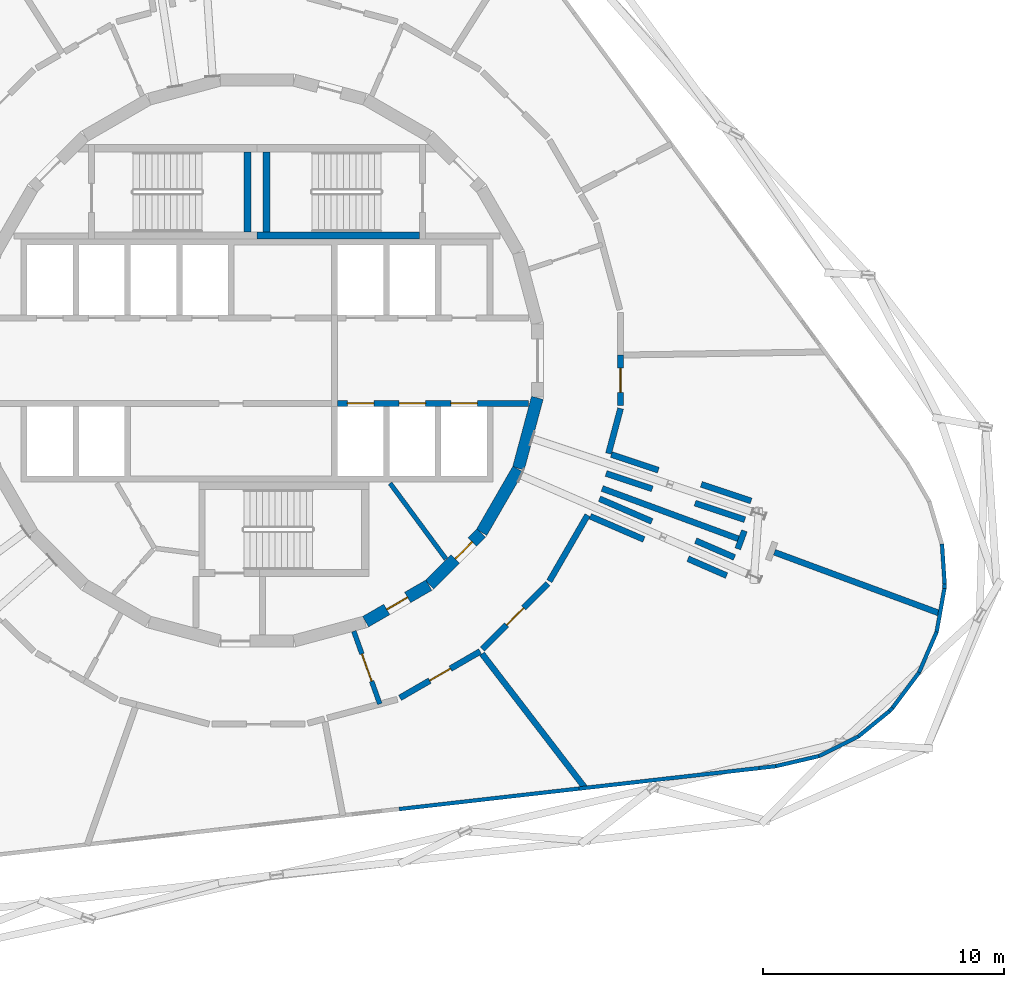
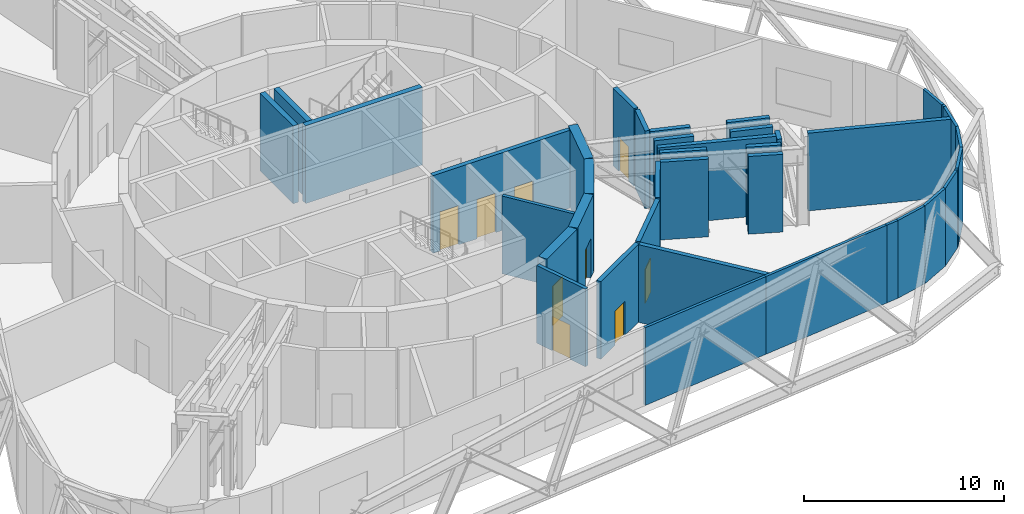
# One storey, part 7 of 11: 39 walls, 9 doors, 9 openings.
"""IFC4 building model written with IfcOpenShell, lengths in metres."""

from ifc_helpers import new_model, si_unit, direction, frame, frame_2d, origin, place, context, subcontext, project, spatial, rectangle, extrude, material, layer, layer_set, type_object, element, fill, save


model = new_model("IFC4")

# Units and contexts
model_context = context("Model", 3, precision=1e-05, world=origin(), true_north=direction((0.0, 1.0)))
body_context = subcontext(model_context, "Body", "Model", "MODEL_VIEW")
ifc_project = project(units=[si_unit("LENGTHUNIT", "METRE"), si_unit("AREAUNIT", "SQUARE_METRE"), si_unit("VOLUMEUNIT", "CUBIC_METRE"), si_unit("PLANEANGLEUNIT", "RADIAN"), si_unit("MASSUNIT", "GRAM", prefix="KILO")], contexts=[model_context])

# Site, building, storey
site_placement = place(None, origin())
site = spatial("IfcSite", under=ifc_project, at=site_placement, CompositionType="ELEMENT")
building_placement = place(site_placement, origin())
building = spatial("IfcBuilding", under=site, at=building_placement, Name="Spindle Arch Residences", CompositionType="ELEMENT")
storey_placement = place(building_placement, frame((0.0, 0.0, 108.199951171875)))
storey = spatial("IfcBuildingStorey", under=building, at=storey_placement, Name="L26", CompositionType="ELEMENT", Elevation=108.199951171875)

# Wall, opening, door
ifc_material_1 = material(Name="Concrete C50/60", Category="concrete")
ifc_layer_1 = layer(ifc_material_1, 0.5)
ifc_layer_set_1 = layer_set([ifc_layer_1], Name="Core outline wall 500")
wall_type_1 = type_object("IfcWallType", Name="Core outline wall 500", PredefinedType="SHEAR", material=ifc_layer_set_1)
wall_1_placement = place(storey_placement, frame((4.510498046875, -10.84521484375, 0.0), z_axis=(0.0, 0.0, 1.0), x_axis=(0.865975092491, 0.500087131594, 0.0)))
wall_1 = element("IfcWall", 1, at=wall_1_placement, inside=storey, type_object=wall_type_1, Name="Core outline wall 2", PredefinedType="SHEAR", context=body_context, shape_type="SweptSolid", body=[
    extrude(rectangle(XDim=3.03271484375, YDim=0.5, at=frame_2d((1.516357421875, 0.0))), origin(), (0.0, 0.0, 1.0), 4.75),
])
opening_1_placement = place(wall_1_placement, frame((1.016357421875, 0.0, 0.0)))
opening_1 = element("IfcOpeningElement", 2, at=opening_1_placement, cuts=wall_1, Name="Opening L26-PD06", PredefinedType="OPENING", context=body_context, shape_type="SweptSolid", body=[
    extrude(rectangle(XDim=1.0, YDim=2.39990234375, at=frame_2d((0.5, 1.199951171875))), frame((0.0, 0.260009765625, 0.0), z_axis=(0.0, -1.0, 0.0), x_axis=(1.0, 0.0, 0.0)), (0.0, 0.0, 1.0), 0.52001953125),
])
ifc_material_2 = material(Name="Steel, fire-resisting door", Category="steel")
door_type_1 = type_object("IfcDoorType", Name="Plant room door 1000x2400", OperationType="SINGLE_SWING_LEFT", PredefinedType="DOOR", material=ifc_material_2)
door_1_placement = place(opening_1_placement, origin())
door_1 = element("IfcDoor", 3, at=door_1_placement, inside=storey, type_object=door_type_1, Name="Plant room door L26-PD06", OperationType="SINGLE_SWING_LEFT", OverallHeight=2.39990234375, OverallWidth=1.0, PredefinedType="DOOR", context=body_context, shape_type="SweptSolid", body=[
    extrude(rectangle(XDim=1.0, YDim=2.39990234375, at=frame_2d((0.5, 1.199951171875))), frame((0.0, 0.02490234375, 0.0), z_axis=(0.0, -1.0, 0.0), x_axis=(1.0, 0.0, 0.0)), (0.0, 0.0, 1.0), 0.050048828125),
])
fill(opening_1, door_1)

wall_2_placement = place(storey_placement, frame((7.163818359375, -9.30810546875, 0.0), z_axis=(0.0, 0.0, 1.0), x_axis=(0.707106781187, 0.707106781187, 0.0)))
wall_2 = element("IfcWall", 4, at=wall_2_placement, inside=storey, type_object=wall_type_1, Name="Core outline wall 3", PredefinedType="SHEAR", context=body_context, shape_type="SweptSolid", body=[
    extrude(rectangle(XDim=3.032470703125, YDim=0.5, at=frame_2d((1.51611328125, 0.0))), origin(), (0.0, 0.0, 1.0), 4.75),
])
opening_2_placement = place(wall_2_placement, frame((1.516357421875, 0.0, 0.0)))
opening_2 = element("IfcOpeningElement", 5, at=opening_2_placement, cuts=wall_2, Name="Opening L26-PD07", PredefinedType="OPENING", context=body_context, shape_type="SweptSolid", body=[
    extrude(rectangle(XDim=1.0, YDim=2.39990234375, at=frame_2d((0.5, 1.199951171875))), frame((0.0, 0.260009765625, 0.0), z_axis=(0.0, -1.0, 0.0), x_axis=(1.0, 0.0, 0.0)), (0.0, 0.0, 1.0), 0.52001953125),
])
door_2_placement = place(opening_2_placement, origin())
door_2 = element("IfcDoor", 6, at=door_2_placement, inside=storey, type_object=door_type_1, Name="Plant room door L26-PD07", OperationType="SINGLE_SWING_RIGHT", OverallHeight=2.39990234375, OverallWidth=1.0, PredefinedType="DOOR", context=body_context, shape_type="SweptSolid", body=[
    extrude(rectangle(XDim=1.0, YDim=2.39990234375, at=frame_2d((0.5, 1.199951171875))), frame((0.0, 0.02490234375, 0.0), z_axis=(0.0, -1.0, 0.0), x_axis=(1.0, 0.0, 0.0)), (0.0, 0.0, 1.0), 0.050048828125),
])
fill(opening_2, door_2)

# Walls
for number, where, z_axis, x_axis, name in (
    (7, (9.32861328125, -7.13671875, 0.0), (0.0, 0.0, 1.0), (0.500087131594, 0.865975092491, 0.0), "Core outline wall 4"),
    (8, (10.858154296875, -4.479248046875, 0.0), (0.0, 0.0, 1.0), (0.258734743916, 0.965948410781, 0.0), "Core outline wall 5"),
):
    element("IfcWall", number, at=place(storey_placement, frame(where, z_axis=z_axis, x_axis=x_axis)), inside=storey, type_object=wall_type_1, Name=name, PredefinedType="SHEAR", context=body_context, shape_type="SweptSolid", body=[
        extrude(rectangle(XDim=3.03271484375, YDim=0.5, at=frame_2d((1.516357421875, 0.0))), origin(), (0.0, 0.0, 1.0), 4.75),
    ])

# Wall, openings, doors
ifc_material_3 = material(Name="Concrete C50/60", Category="concrete")
ifc_layer_2 = layer(ifc_material_3, 0.25)
ifc_layer_set_2 = layer_set([ifc_layer_2], Name="Fire-lift shaft wall 250")
wall_type_2 = type_object("IfcWallType", Name="Fire-lift shaft wall 250", PredefinedType="SHEAR", material=ifc_layer_set_2)
wall_3_placement = place(storey_placement, frame((3.35009765625, -1.77490234375, 0.0), z_axis=(0.0, 0.0, 1.0), x_axis=(1.0, 0.0, 0.0)))
wall_3 = element("IfcWall", 9, at=wall_3_placement, inside=storey, type_object=wall_type_2, Name="Lift shaft front wall SE", PredefinedType="SHEAR", context=body_context, shape_type="SweptSolid", body=[
    extrude(rectangle(XDim=7.929931640625, YDim=0.25, at=frame_2d((3.96484375, 0.0))), origin(), (0.0, 0.0, 1.0), 4.75),
])
opening_3_placement = place(wall_3_placement, frame((0.39990234375, 0.0, 0.0)))
opening_3 = element("IfcOpeningElement", 10, at=opening_3_placement, cuts=wall_3, Name="Opening L26-FLD01", PredefinedType="OPENING", context=body_context, shape_type="SweptSolid", body=[
    extrude(rectangle(XDim=1.10009765625, YDim=2.39990234375, at=frame_2d((0.550048828125, 1.199951171875))), frame((0.0, 0.135009765625, 0.0), z_axis=(0.0, -1.0, 0.0), x_axis=(1.0, 0.0, 0.0)), (0.0, 0.0, 1.0), 0.27001953125),
])
opening_4_placement = place(wall_3_placement, frame((2.550048828125, 0.0, 0.0)))
opening_4 = element("IfcOpeningElement", 11, at=opening_4_placement, cuts=wall_3, Name="Opening L26-FLD02", PredefinedType="OPENING", context=body_context, shape_type="SweptSolid", body=[
    extrude(rectangle(XDim=1.10009765625, YDim=2.39990234375, at=frame_2d((0.550048828125, 1.199951171875))), frame((0.0, 0.135009765625, 0.0), z_axis=(0.0, -1.0, 0.0), x_axis=(1.0, 0.0, 0.0)), (0.0, 0.0, 1.0), 0.27001953125),
])
opening_5_placement = place(wall_3_placement, frame((4.699951171875, 0.0, 0.0)))
opening_5 = element("IfcOpeningElement", 12, at=opening_5_placement, cuts=wall_3, Name="Opening L26-FLD03", PredefinedType="OPENING", context=body_context, shape_type="SweptSolid", body=[
    extrude(rectangle(XDim=1.10009765625, YDim=2.39990234375, at=frame_2d((0.550048828125, 1.199951171875))), frame((0.0, 0.135009765625, 0.0), z_axis=(0.0, -1.0, 0.0), x_axis=(1.0, 0.0, 0.0)), (0.0, 0.0, 1.0), 0.27001953125),
])
ifc_material_4 = material(Name="Steel, fire-resisting landing door", Category="steel")
door_type_2 = type_object("IfcDoorType", Name="Fire-fighting lift landing door 1100x2400", OperationType="DOUBLE_DOOR_SLIDING", PredefinedType="DOOR", material=ifc_material_4)
door_3_placement = place(opening_3_placement, origin())
door_3 = element("IfcDoor", 13, at=door_3_placement, inside=storey, type_object=door_type_2, Name="Fire-fighting lift landing door L26-FLD01", OperationType="DOUBLE_DOOR_SLIDING", OverallHeight=2.39990234375, OverallWidth=1.10009765625, PredefinedType="DOOR", context=body_context, shape_type="SweptSolid", body=[
    extrude(rectangle(XDim=1.10009765625, YDim=2.39990234375, at=frame_2d((0.550048828125, 1.199951171875))), frame((0.0, 0.02490234375, 0.0), z_axis=(0.0, -1.0, 0.0), x_axis=(1.0, 0.0, 0.0)), (0.0, 0.0, 1.0), 0.050048828125),
])
fill(opening_3, door_3)
door_4_placement = place(opening_4_placement, origin())
door_4 = element("IfcDoor", 14, at=door_4_placement, inside=storey, type_object=door_type_2, Name="Fire-fighting lift landing door L26-FLD02", OperationType="DOUBLE_DOOR_SLIDING", OverallHeight=2.39990234375, OverallWidth=1.10009765625, PredefinedType="DOOR", context=body_context, shape_type="SweptSolid", body=[
    extrude(rectangle(XDim=1.10009765625, YDim=2.39990234375, at=frame_2d((0.550048828125, 1.199951171875))), frame((0.0, 0.02490234375, 0.0), z_axis=(0.0, -1.0, 0.0), x_axis=(1.0, 0.0, 0.0)), (0.0, 0.0, 1.0), 0.050048828125),
])
fill(opening_4, door_4)
door_5_placement = place(opening_5_placement, origin())
door_5 = element("IfcDoor", 15, at=door_5_placement, inside=storey, type_object=door_type_2, Name="Fire-fighting lift landing door L26-FLD03", OperationType="DOUBLE_DOOR_SLIDING", OverallHeight=2.39990234375, OverallWidth=1.10009765625, PredefinedType="DOOR", context=body_context, shape_type="SweptSolid", body=[
    extrude(rectangle(XDim=1.10009765625, YDim=2.39990234375, at=frame_2d((0.550048828125, 1.199951171875))), frame((0.0, 0.02490234375, 0.0), z_axis=(0.0, -1.0, 0.0), x_axis=(1.0, 0.0, 0.0)), (0.0, 0.0, 1.0), 0.050048828125),
])
fill(opening_5, door_5)

# Walls
ifc_material_5 = material(Name="Non-combustible mineral wool insulated aluminium faced external wall (K0)", Category="aluminium")
ifc_layer_3 = layer(ifc_material_5, 0.159912109375)
ifc_layer_set_3 = layer_set([ifc_layer_3], Name="Insulated external wall panel 160")
wall_type_3 = type_object("IfcWallType", Name="Insulated external wall panel 160", PredefinedType="STANDARD", material=ifc_layer_set_3)
for number, where, z_axis, x_axis, name in (
    (16, (5.90625, -18.628662109375, 0.0), (0.0, 0.0, 1.0), (0.993573008535, 0.113193094799, 0.0), "Plant wall L26 bay 1"),
    (17, (13.376708984375, -17.777587890625, 0.0), (0.0, 0.0, 1.0), (0.993569356187, 0.113225149352, 0.0), "Plant wall L26 bay 2"),
):
    element("IfcWall", number, at=place(storey_placement, frame(where, z_axis=z_axis, x_axis=x_axis)), inside=storey, type_object=wall_type_3, Name=name, PredefinedType="STANDARD", context=body_context, shape_type="SweptSolid", body=[
        extrude(rectangle(XDim=7.518798828125, YDim=0.159912109375, at=frame_2d((3.75927734375, 0.0))), origin(), (0.0, 0.0, 1.0), 4.75),
    ])
wall_4_placement = place(storey_placement, frame((20.84716796875, -16.926513671875, 0.0), z_axis=(0.0, 0.0, 1.0), x_axis=(0.993544966553, 0.113438967899, 0.0)))
element("IfcWall", 18, at=wall_4_placement, inside=storey, type_object=wall_type_3, Name="Plant wall L26 bay 3.1", PredefinedType="STANDARD", context=body_context, shape_type="SweptSolid", body=[
    extrude(rectangle(XDim=0.703857421875, YDim=0.159912109375, at=frame_2d((0.35205078125, 0.0))), origin(), (0.0, 0.0, 1.0), 4.75),
])
wall_5_placement = place(storey_placement, frame((21.5419921875, -16.847412109375, 0.0), z_axis=(0.0, 0.0, 1.0), x_axis=(0.973718142356, 0.227756403306, 0.0)))
element("IfcWall", 19, at=wall_5_placement, inside=storey, type_object=wall_type_3, Name="Plant wall L26 bay 3.2", PredefinedType="STANDARD", context=body_context, shape_type="SweptSolid", body=[
    extrude(rectangle(XDim=1.845947265625, YDim=0.159912109375, at=frame_2d((0.9228515625, 0.0))), origin(), (0.0, 0.0, 1.0), 4.75),
])
wall_6_placement = place(storey_placement, frame((23.33056640625, -16.43017578125, 0.0), z_axis=(0.0, 0.0, 1.0), x_axis=(0.894981325047, 0.446103606595, 0.0)))
element("IfcWall", 20, at=wall_6_placement, inside=storey, type_object=wall_type_3, Name="Plant wall L26 bay 3.3", PredefinedType="STANDARD", context=body_context, shape_type="SweptSolid", body=[
    extrude(rectangle(XDim=1.84814453125, YDim=0.159912109375, at=frame_2d((0.924072265625, 0.0))), origin(), (0.0, 0.0, 1.0), 4.75),
])
wall_7_placement = place(storey_placement, frame((24.97705078125, -15.6103515625, 0.0), z_axis=(0.0, 0.0, 1.0), x_axis=(0.775317617067, 0.631571526168, 0.0)))
element("IfcWall", 21, at=wall_7_placement, inside=storey, type_object=wall_type_3, Name="Plant wall L26 bay 3.4", PredefinedType="STANDARD", context=body_context, shape_type="SweptSolid", body=[
    extrude(rectangle(XDim=1.6611328125, YDim=0.159912109375, at=frame_2d((0.83056640625, 0.0))), origin(), (0.0, 0.0, 1.0), 4.75),
])
wall_8_placement = place(storey_placement, frame((26.264892578125, -14.561279296875, 0.0), z_axis=(0.0, 0.0, 1.0), x_axis=(0.695858710505, 0.718178706879, 0.0)))
element("IfcWall", 22, at=wall_8_placement, inside=storey, type_object=wall_type_3, Name="Plant wall L26 bay 4.1", PredefinedType="STANDARD", context=body_context, shape_type="SweptSolid", body=[
    extrude(rectangle(XDim=0.18603515625, YDim=0.159912109375, at=frame_2d((0.093017578125, 0.0))), origin(), (0.0, 0.0, 1.0), 4.75),
])
wall_9_placement = place(storey_placement, frame((26.39111328125, -14.431640625, 0.0), z_axis=(0.0, 0.0, 1.0), x_axis=(0.599492036747, 0.800380720581, 0.0)))
element("IfcWall", 23, at=wall_9_placement, inside=storey, type_object=wall_type_3, Name="Plant wall L26 bay 4.2", PredefinedType="STANDARD", context=body_context, shape_type="SweptSolid", body=[
    extrude(rectangle(XDim=1.845947265625, YDim=0.159912109375, at=frame_2d((0.9228515625, 0.0))), origin(), (0.0, 0.0, 1.0), 4.75),
])
wall_10_placement = place(storey_placement, frame((27.4931640625, -12.962158203125, 0.0), z_axis=(0.0, 0.0, 1.0), x_axis=(0.398648829764, 0.917103653099, 0.0)))
element("IfcWall", 24, at=wall_10_placement, inside=storey, type_object=wall_type_3, Name="Plant wall L26 bay 4.3", PredefinedType="STANDARD", context=body_context, shape_type="SweptSolid", body=[
    extrude(rectangle(XDim=1.848388671875, YDim=0.159912109375, at=frame_2d((0.92431640625, 0.0))), origin(), (0.0, 0.0, 1.0), 4.75),
])
wall_11_placement = place(storey_placement, frame((28.2275390625, -11.27587890625, 0.0), z_axis=(0.0, 0.0, 1.0), x_axis=(0.176417673272, 0.984315398923, 0.0)))
element("IfcWall", 25, at=wall_11_placement, inside=storey, type_object=wall_type_3, Name="Plant wall L26 bay 4.4", PredefinedType="STANDARD", context=body_context, shape_type="SweptSolid", body=[
    extrude(rectangle(XDim=1.84619140625, YDim=0.159912109375, at=frame_2d((0.923095703125, 0.0))), origin(), (0.0, 0.0, 1.0), 4.75),
])
wall_12_placement = place(storey_placement, frame((28.552734375, -9.4638671875, 0.0), z_axis=(0.0, 0.0, 1.0), x_axis=(0.049937616944, 0.998752338878, 0.0)))
element("IfcWall", 26, at=wall_12_placement, inside=storey, type_object=wall_type_3, Name="Plant wall L26 bay 4.5", PredefinedType="STANDARD", context=body_context, shape_type="SweptSolid", body=[
    extrude(rectangle(XDim=0.185791015625, YDim=0.159912109375, at=frame_2d((0.0927734375, 0.0))), origin(), (0.0, 0.0, 1.0), 4.75),
])
wall_13_placement = place(storey_placement, frame((28.56201171875, -9.2783203125, 0.0), z_axis=(0.0, 0.0, 1.0), x_axis=(-0.066870167451, 0.997761685326, 0.0)))
element("IfcWall", 27, at=wall_13_placement, inside=storey, type_object=wall_type_3, Name="Plant wall L26 bay 5.1", PredefinedType="STANDARD", context=body_context, shape_type="SweptSolid", body=[
    extrude(rectangle(XDim=1.6611328125, YDim=0.159912109375, at=frame_2d((0.83056640625, 0.0))), origin(), (0.0, 0.0, 1.0), 4.75),
])

# Wall, opening, door
ifc_material_6 = material(Name="Concrete C25/30 wall", Category="concrete")
ifc_layer_4 = layer(ifc_material_6, 0.25)
ifc_layer_set_4 = layer_set([ifc_layer_4], Name="Partition EI 120 250 plant")
wall_type_4 = type_object("IfcWallType", Name="Partition EI 120 250 plant", PredefinedType="PARTITIONING", material=ifc_layer_set_4)
wall_14_placement = place(storey_placement, frame((5.938232421875, -14.00732421875, 0.0), z_axis=(0.0, 0.0, 1.0), x_axis=(0.865615852585, 0.500708693508, 0.0)))
wall_14 = element("IfcWall", 28, at=wall_14_placement, inside=storey, type_object=wall_type_4, Name="L26-W050", PredefinedType="PARTITIONING", context=body_context, shape_type="SweptSolid", body=[
    extrude(rectangle(XDim=3.84912109375, YDim=0.25, at=frame_2d((1.924560546875, 0.0))), origin(), (0.0, 0.0, 1.0), 4.75),
])
opening_6_placement = place(wall_14_placement, frame((1.424560546875, 0.0, 0.0)))
opening_6 = element("IfcOpeningElement", 29, at=opening_6_placement, cuts=wall_14, Name="Opening L26-D03", PredefinedType="OPENING", context=body_context, shape_type="SweptSolid", body=[
    extrude(rectangle(XDim=1.0, YDim=2.10009765625, at=frame_2d((0.5, 1.050048828125))), frame((0.0, 0.135009765625, 0.0), z_axis=(0.0, -1.0, 0.0), x_axis=(1.0, 0.0, 0.0)), (0.0, 0.0, 1.0), 0.27001953125),
])
ifc_material_7 = material(Name="Steel door leaf, painted", Category="steel")
door_type_3 = type_object("IfcDoorType", Name="Door 1000x2100 EI 60", OperationType="SINGLE_SWING_LEFT", PredefinedType="DOOR", material=ifc_material_7)
door_6_placement = place(opening_6_placement, origin())
door_6 = element("IfcDoor", 30, at=door_6_placement, inside=storey, type_object=door_type_3, Name="L26-D03", OperationType="SINGLE_SWING_LEFT", OverallHeight=2.10009765625, OverallWidth=1.0, PredefinedType="DOOR", context=body_context, shape_type="SweptSolid", body=[
    extrude(rectangle(XDim=1.0, YDim=2.10009765625, at=frame_2d((0.5, 1.050048828125))), frame((0.0, 0.02490234375, 0.0), z_axis=(0.0, -1.0, 0.0), x_axis=(1.0, 0.0, 0.0)), (0.0, 0.0, 1.0), 0.050048828125),
])
fill(opening_6, door_6)

wall_15_placement = place(storey_placement, frame((9.3583984375, -11.99169921875, 0.0), z_axis=(0.0, 0.0, 1.0), x_axis=(0.707106781187, 0.707106781187, 0.0)))
wall_15 = element("IfcWall", 31, at=wall_15_placement, inside=storey, type_object=wall_type_4, Name="L26-W054", PredefinedType="PARTITIONING", context=body_context, shape_type="SweptSolid", body=[
    extrude(rectangle(XDim=3.84912109375, YDim=0.25, at=frame_2d((1.924560546875, 0.0))), origin(), (0.0, 0.0, 1.0), 4.75),
])
opening_7_placement = place(wall_15_placement, frame((1.424560546875, 0.0, 0.0)))
opening_7 = element("IfcOpeningElement", 32, at=opening_7_placement, cuts=wall_15, Name="Opening L26-D04", PredefinedType="OPENING", context=body_context, shape_type="SweptSolid", body=[
    extrude(rectangle(XDim=1.0, YDim=2.10009765625, at=frame_2d((0.5, 1.050048828125))), frame((0.0, 0.135009765625, 0.0), z_axis=(0.0, -1.0, 0.0), x_axis=(1.0, 0.0, 0.0)), (0.0, 0.0, 1.0), 0.27001953125),
])
door_7_placement = place(opening_7_placement, origin())
door_7 = element("IfcDoor", 33, at=door_7_placement, inside=storey, type_object=door_type_3, Name="L26-D04", OperationType="SINGLE_SWING_LEFT", OverallHeight=2.10009765625, OverallWidth=1.0, PredefinedType="DOOR", context=body_context, shape_type="SweptSolid", body=[
    extrude(rectangle(XDim=1.0, YDim=2.10009765625, at=frame_2d((0.5, 1.050048828125))), frame((0.0, 0.02490234375, 0.0), z_axis=(0.0, -1.0, 0.0), x_axis=(1.0, 0.0, 0.0)), (0.0, 0.0, 1.0), 0.050048828125),
])
fill(opening_7, door_7)

# Walls
wall_16_placement = place(storey_placement, frame((9.34619140625, -12.17919921875, 0.0), z_axis=(0.0, 0.0, 1.0), x_axis=(0.609251025239, -0.792977419758, 0.0)))
element("IfcWall", 34, at=wall_16_placement, inside=storey, type_object=wall_type_4, Name="L26-W055", PredefinedType="PARTITIONING", context=body_context, shape_type="SweptSolid", body=[
    extrude(rectangle(XDim=7.033447265625, YDim=0.25, at=frame_2d((3.5166015625, 0.0))), origin(), (0.0, 0.0, 1.0), 4.75),
])
wall_17_placement = place(storey_placement, frame((12.142578125, -9.161865234375, 0.0), z_axis=(0.0, 0.0, 1.0), x_axis=(0.501027157918, 0.865431561147, 0.0)))
element("IfcWall", 35, at=wall_17_placement, inside=storey, type_object=wall_type_4, Name="L26-W057", PredefinedType="PARTITIONING", context=body_context, shape_type="SweptSolid", body=[
    extrude(rectangle(XDim=3.168212890625, YDim=0.25, at=frame_2d((1.583984375, 0.0))), origin(), (0.0, 0.0, 1.0), 4.75),
])
wall_18_placement = place(storey_placement, frame((13.8447265625, -6.469482421875, 0.0), z_axis=(0.0, 0.0, 1.0), x_axis=(0.918136491237, -0.396264284863, 0.0)))
element("IfcWall", 36, at=wall_18_placement, inside=storey, type_object=wall_type_4, Name="L26-W060", PredefinedType="PARTITIONING", context=body_context, shape_type="SweptSolid", body=[
    extrude(rectangle(XDim=2.423828125, YDim=0.25, at=frame_2d((1.2119140625, 0.0))), origin(), (0.0, 0.0, 1.0), 4.75),
])
wall_19_placement = place(storey_placement, frame((14.337158203125, -5.313232421875, 0.0), z_axis=(0.0, 0.0, 1.0), x_axis=(0.938077834257, -0.346424561594, 0.0)))
element("IfcWall", 37, at=wall_19_placement, inside=storey, type_object=wall_type_4, Name="L26-W062", PredefinedType="PARTITIONING", context=body_context, shape_type="SweptSolid", body=[
    extrude(rectangle(XDim=6.024169921875, YDim=0.25, at=frame_2d((3.01220703125, 0.0))), origin(), (0.0, 0.0, 1.0), 4.75),
])
wall_20_placement = place(storey_placement, frame((14.49853515625, -4.689453125, 0.0), z_axis=(0.0, 0.0, 1.0), x_axis=(0.948659187055, -0.316300089814, 0.0)))
element("IfcWall", 38, at=wall_20_placement, inside=storey, type_object=wall_type_4, Name="L26-W064", PredefinedType="PARTITIONING", context=body_context, shape_type="SweptSolid", body=[
    extrude(rectangle(XDim=2.025390625, YDim=0.25, at=frame_2d((1.0126953125, 0.0))), origin(), (0.0, 0.0, 1.0), 4.75),
])
wall_21_placement = place(storey_placement, frame((14.60009765625, -3.860107421875, 0.0), z_axis=(0.0, 0.0, 1.0), x_axis=(0.258290571794, 0.966067275361, 0.0)))
element("IfcWall", 39, at=wall_21_placement, inside=storey, type_object=wall_type_4, Name="L26-W065", PredefinedType="PARTITIONING", context=body_context, shape_type="SweptSolid", body=[
    extrude(rectangle(XDim=1.935791015625, YDim=0.25, at=frame_2d((0.9677734375, 0.0))), origin(), (0.0, 0.0, 1.0), 4.75),
])

# Wall, opening, door
wall_22_placement = place(storey_placement, frame((15.10009765625, -1.864990234375, 0.0), z_axis=(0.0, 0.0, 1.0), x_axis=(0.0, 1.0, 0.0)))
wall_22 = element("IfcWall", 40, at=wall_22_placement, inside=storey, type_object=wall_type_4, Name="L26-W066", PredefinedType="PARTITIONING", context=body_context, shape_type="SweptSolid", body=[
    extrude(rectangle(XDim=2.094970703125, YDim=0.25, at=frame_2d((1.04736328125, 0.0))), origin(), (0.0, 0.0, 1.0), 4.75),
])
opening_8_placement = place(wall_22_placement, frame((0.547607421875, 0.0, 0.0)))
opening_8 = element("IfcOpeningElement", 41, at=opening_8_placement, cuts=wall_22, Name="Opening L26-D06", PredefinedType="OPENING", context=body_context, shape_type="SweptSolid", body=[
    extrude(rectangle(XDim=1.0, YDim=2.10009765625, at=frame_2d((0.5, 1.050048828125))), frame((0.0, 0.135009765625, 0.0), z_axis=(0.0, -1.0, 0.0), x_axis=(1.0, 0.0, 0.0)), (0.0, 0.0, 1.0), 0.27001953125),
])
door_8_placement = place(opening_8_placement, origin())
door_8 = element("IfcDoor", 42, at=door_8_placement, inside=storey, type_object=door_type_3, Name="L26-D06", OperationType="SINGLE_SWING_LEFT", OverallHeight=2.10009765625, OverallWidth=1.0, PredefinedType="DOOR", context=body_context, shape_type="SweptSolid", body=[
    extrude(rectangle(XDim=1.0, YDim=2.10009765625, at=frame_2d((0.5, 1.050048828125))), frame((0.0, 0.02490234375, 0.0), z_axis=(0.0, -1.0, 0.0), x_axis=(1.0, 0.0, 0.0)), (0.0, 0.0, 1.0), 0.050048828125),
])
fill(opening_8, door_8)

# Walls
wall_23_placement = place(storey_placement, frame((16.39990234375, -6.679931640625, 0.0), z_axis=(0.0, 0.0, 1.0), x_axis=(-0.917877323371, 0.396864232756, 0.0)))
element("IfcWall", 43, at=wall_23_placement, inside=storey, type_object=wall_type_4, Name="L26-W070", PredefinedType="PARTITIONING", context=body_context, shape_type="SweptSolid", body=[
    extrude(rectangle(XDim=2.36962890625, YDim=0.25, at=frame_2d((1.184814453125, 0.0))), origin(), (0.0, 0.0, 1.0), 4.75),
])
wall_24_placement = place(storey_placement, frame((16.669921875, -4.550048828125, 0.0), z_axis=(0.0, 0.0, 1.0), x_axis=(-0.948659558119, 0.316298976903, 0.0)))
element("IfcWall", 44, at=wall_24_placement, inside=storey, type_object=wall_type_4, Name="L26-W071", PredefinedType="PARTITIONING", context=body_context, shape_type="SweptSolid", body=[
    extrude(rectangle(XDim=2.05712890625, YDim=0.25, at=frame_2d((1.028564453125, 0.0))), origin(), (0.0, 0.0, 1.0), 4.75),
])
wall_25_placement = place(storey_placement, frame((17.89990234375, -8.22998046875, 0.0), z_axis=(0.0, 0.0, 1.0), x_axis=(0.91647060913, -0.400102015242, 0.0)))
element("IfcWall", 45, at=wall_25_placement, inside=storey, type_object=wall_type_4, Name="L26-W073", PredefinedType="PARTITIONING", context=body_context, shape_type="SweptSolid", body=[
    extrude(rectangle(XDim=1.751220703125, YDim=0.25, at=frame_2d((0.87548828125, 0.0))), origin(), (0.0, 0.0, 1.0), 4.75),
])
wall_26_placement = place(storey_placement, frame((18.18994140625, -5.919921875, 0.0), z_axis=(0.0, 0.0, 1.0), x_axis=(0.948660918958, -0.316294895376, 0.0)))
element("IfcWall", 46, at=wall_26_placement, inside=storey, type_object=wall_type_4, Name="L26-W074", PredefinedType="PARTITIONING", context=body_context, shape_type="SweptSolid", body=[
    extrude(rectangle(XDim=2.18212890625, YDim=0.25, at=frame_2d((1.091064453125, 0.0))), origin(), (0.0, 0.0, 1.0), 4.75),
])
wall_27_placement = place(storey_placement, frame((19.830810546875, -8.176025390625, 0.0), z_axis=(0.0, 0.0, 1.0), x_axis=(-0.917967960196, 0.396654539939, 0.0)))
element("IfcWall", 47, at=wall_27_placement, inside=storey, type_object=wall_type_4, Name="L26-W075", PredefinedType="PARTITIONING", context=body_context, shape_type="SweptSolid", body=[
    extrude(rectangle(XDim=1.7548828125, YDim=0.25, at=frame_2d((0.87744140625, 0.0))), origin(), (0.0, 0.0, 1.0), 4.75),
])
wall_28_placement = place(storey_placement, frame((20.52001953125, -5.830078125, 0.0), z_axis=(0.0, 0.0, 1.0), x_axis=(-0.948660918958, 0.316294895376, 0.0)))
element("IfcWall", 48, at=wall_28_placement, inside=storey, type_object=wall_type_4, Name="L26-W076", PredefinedType="PARTITIONING", context=body_context, shape_type="SweptSolid", body=[
    extrude(rectangle(XDim=2.18212890625, YDim=0.25, at=frame_2d((1.091064453125, 0.0))), origin(), (0.0, 0.0, 1.0), 4.75),
])
wall_29_placement = place(storey_placement, frame((21.49169921875, -7.960205078125, 0.0), z_axis=(0.0, 0.0, 1.0), x_axis=(0.937911815422, -0.346873790437, 0.0)))
element("IfcWall", 49, at=wall_29_placement, inside=storey, type_object=wall_type_4, Name="L26-W077", PredefinedType="PARTITIONING", context=body_context, shape_type="SweptSolid", body=[
    extrude(rectangle(XDim=7.328369140625, YDim=0.25, at=frame_2d((3.6640625, 0.0))), origin(), (0.0, 0.0, 1.0), 4.75),
])
wall_30_placement = place(storey_placement, frame((19.966796875, -7.818603515625, 0.0), z_axis=(0.0, 0.0, 1.0), x_axis=(0.346638468149, 0.937998812579, 0.0)))
element("IfcWall", 50, at=wall_30_placement, inside=storey, type_object=wall_type_4, Name="L26-W082", PredefinedType="PARTITIONING", context=body_context, shape_type="SweptSolid", body=[
    extrude(rectangle(XDim=0.800048828125, YDim=0.25, at=frame_2d((0.39990234375, 0.0))), origin(), (0.0, 0.0, 1.0), 4.75),
])

# Wall, opening, door
ifc_material_8 = material(Name="Gypsum board partition on steel studs", Category="steel")
ifc_layer_5 = layer(ifc_material_8, 0.199951171875)
ifc_layer_set_5 = layer_set([ifc_layer_5], Name="Partition EI 60 200 amenity")
wall_type_5 = type_object("IfcWallType", Name="Partition EI 60 200 amenity", PredefinedType="PARTITIONING", material=ifc_layer_set_5)
wall_31_placement = place(storey_placement, frame((4.02001953125, -11.239990234375, 0.0), z_axis=(0.0, 0.0, 1.0), x_axis=(0.336751058688, -0.941593715183, 0.0)))
wall_31 = element("IfcWall", 51, at=wall_31_placement, inside=storey, type_object=wall_type_5, Name="L26-W048", PredefinedType="PARTITIONING", context=body_context, shape_type="SweptSolid", body=[
    extrude(rectangle(XDim=3.207275390625, YDim=0.199951171875, at=frame_2d((1.603515625, 0.0))), origin(), (0.0, 0.0, 1.0), 4.75),
])
opening_9_placement = place(wall_31_placement, frame((1.003662109375, 0.0, 0.0)))
opening_9 = element("IfcOpeningElement", 52, at=opening_9_placement, cuts=wall_31, Name="Opening L26-D13", PredefinedType="OPENING", context=body_context, shape_type="SweptSolid", body=[
    extrude(rectangle(XDim=1.199951171875, YDim=2.10009765625, at=frame_2d((0.60009765625, 1.050048828125))), frame((0.0, 0.10986328125, 0.0), z_axis=(0.0, -1.0, 0.0), x_axis=(1.0, 0.0, 0.0)), (0.0, 0.0, 1.0), 0.219970703125),
])
ifc_material_9 = material(Name="Steel door leaf, painted", Category="steel")
door_type_4 = type_object("IfcDoorType", Name="Door 1200x2100 EI 60", OperationType="SINGLE_SWING_LEFT", PredefinedType="DOOR", material=ifc_material_9)
door_9_placement = place(opening_9_placement, origin())
door_9 = element("IfcDoor", 53, at=door_9_placement, inside=storey, type_object=door_type_4, Name="L26-D13", OperationType="SINGLE_SWING_LEFT", OverallHeight=2.10009765625, OverallWidth=1.199951171875, PredefinedType="DOOR", context=body_context, shape_type="SweptSolid", body=[
    extrude(rectangle(XDim=1.199951171875, YDim=2.10009765625, at=frame_2d((0.60009765625, 1.050048828125))), frame((0.0, 0.02490234375, 0.0), z_axis=(0.0, -1.0, 0.0), x_axis=(1.0, 0.0, 0.0)), (0.0, 0.0, 1.0), 0.050048828125),
])
fill(opening_9, door_9)

# Walls
ifc_material_10 = material(Name="Concrete C25/30", Category="concrete")
ifc_layer_6 = layer(ifc_material_10, 0.18994140625)
ifc_layer_set_6 = layer_set([ifc_layer_6], Name="Plant room partition 190")
wall_type_6 = type_object("IfcWallType", Name="Plant room partition 190", PredefinedType="PARTITIONING", material=ifc_layer_set_6)
wall_32_placement = place(storey_placement, frame((5.528076171875, -5.098388671875, 0.0), z_axis=(0.0, 0.0, 1.0), x_axis=(0.594034318069, -0.804439698769, 0.0)))
element("IfcWall", 54, at=wall_32_placement, inside=storey, type_object=wall_type_6, Name="Core plant room partition", PredefinedType="PARTITIONING", context=body_context, shape_type="SweptSolid", body=[
    extrude(rectangle(XDim=3.90673828125, YDim=0.18994140625, at=frame_2d((1.953369140625, 0.0))), origin(), (0.0, 0.0, 1.0), 4.75),
])
ifc_material_11 = material(Name="Concrete C50/60", Category="concrete")
ifc_layer_7 = layer(ifc_material_11, 0.300048828125)
ifc_layer_set_7 = layer_set([ifc_layer_7], Name="Stair enclosure wall 300")
wall_type_7 = type_object("IfcWallType", Name="Stair enclosure wall 300", PredefinedType="SHEAR", material=ifc_layer_set_7)
wall_33_placement = place(storey_placement, frame((0.0, 5.199951171875, 0.0), z_axis=(0.0, 0.0, 1.0), x_axis=(1.0, 0.0, 0.0)))
element("IfcWall", 55, at=wall_33_placement, inside=storey, type_object=wall_type_7, Name="Stair ST-1 enclosure wall S", PredefinedType="SHEAR", context=body_context, shape_type="SweptSolid", body=[
    extrude(rectangle(XDim=6.75, YDim=0.300048828125, at=frame_2d((3.375, 0.0))), origin(), (0.0, 0.0, 1.0), 4.75),
])
for number, where, z_axis, x_axis, name in (
    (56, (0.39990234375, 5.35009765625, 0.0), (0.0, 0.0, 1.0), (0.0, 1.0, 0.0), "Stair ST-1 enclosure wall F"),
    (57, (-0.39990234375, 5.35009765625, 0.0), (0.0, 0.0, 1.0), (0.0, 1.0, 0.0), "Stair ST-2 enclosure wall F"),
):
    element("IfcWall", number, at=place(storey_placement, frame(where, z_axis=z_axis, x_axis=x_axis)), inside=storey, type_object=wall_type_7, Name=name, PredefinedType="SHEAR", context=body_context, shape_type="SweptSolid", body=[
        extrude(rectangle(XDim=3.31982421875, YDim=0.300048828125, at=frame_2d((1.659912109375, 0.0))), origin(), (0.0, 0.0, 1.0), 4.75),
    ])

save(model, "model.ifc")
